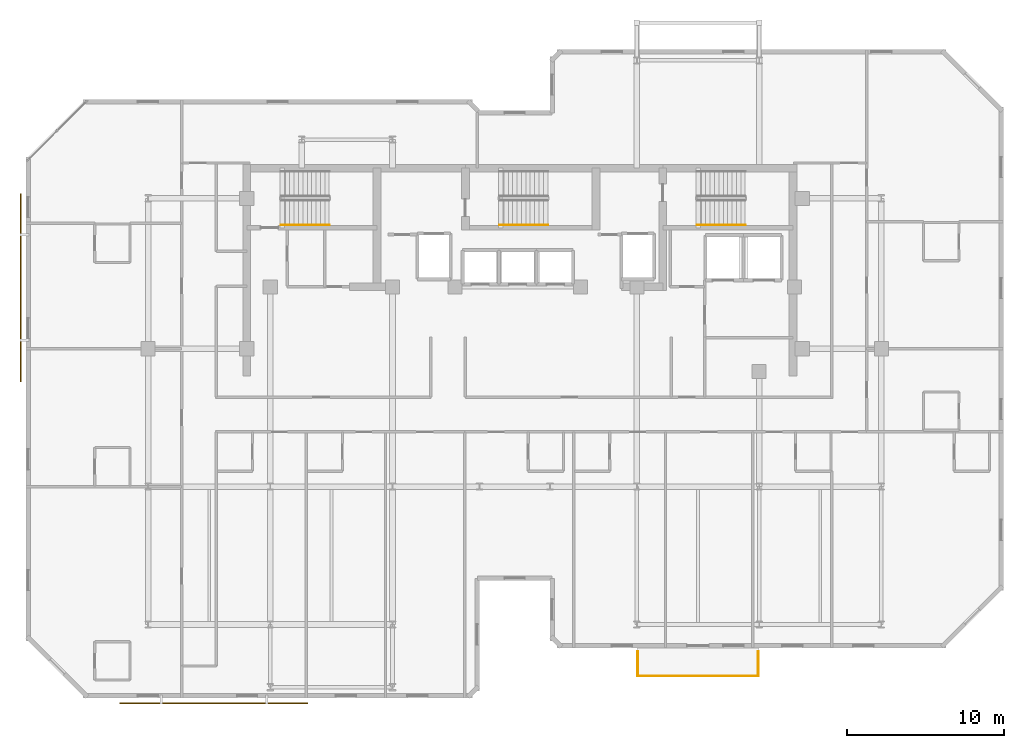
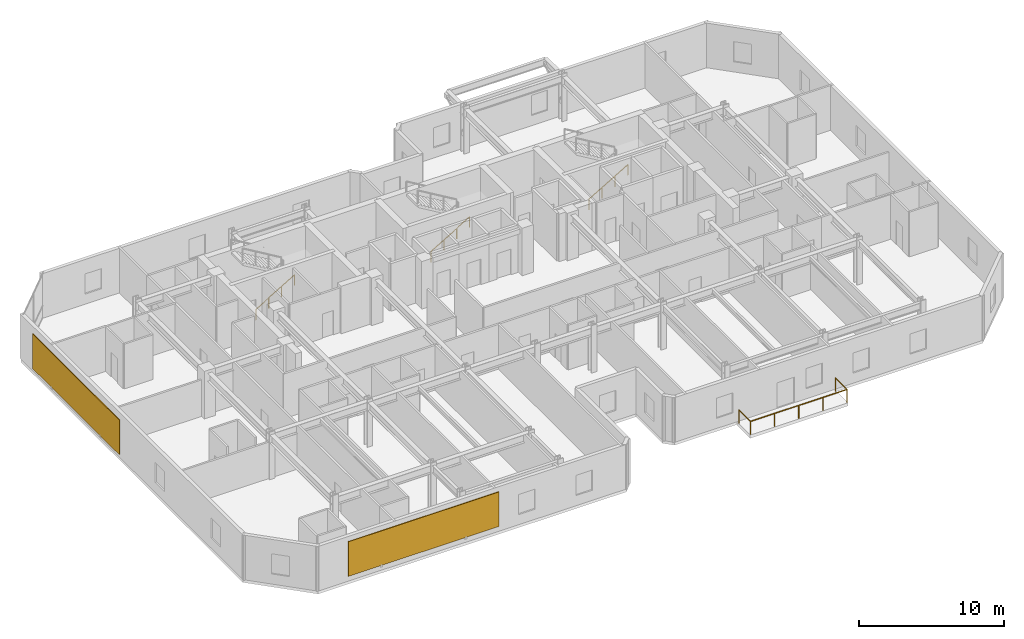
# One storey, part 9 of 10: 5 railings, 2 shading devices.
"""IFC4 building model written with IfcOpenShell, lengths in metres."""

from ifc_helpers import new_model, si_unit, direction, frame, origin, origin_2d, place, context, subcontext, project, spatial, rectangle, circle, extrude, material, layer, layer_set, type_object, element, save


model = new_model("IFC4")

# Units and contexts
model_context = context("Model", 3, precision=1e-05, world=origin(), true_north=direction((0.0, 1.0)))
body_context = subcontext(model_context, "Body", "Model", "MODEL_VIEW")
ifc_project = project(units=[si_unit("LENGTHUNIT", "METRE"), si_unit("AREAUNIT", "SQUARE_METRE"), si_unit("VOLUMEUNIT", "CUBIC_METRE"), si_unit("PLANEANGLEUNIT", "RADIAN"), si_unit("MASSUNIT", "GRAM", prefix="KILO")], contexts=[model_context])

# Site, building, storey
site_placement = place(None, origin())
site = spatial("IfcSite", under=ifc_project, at=site_placement, CompositionType="ELEMENT")
building_placement = place(site_placement, origin())
building = spatial("IfcBuilding", under=site, at=building_placement, Name="Kestravale Grand Hotel", CompositionType="ELEMENT")
storey_placement = place(building_placement, frame((0.0, 0.0, 253.39990234375)))
storey = spatial("IfcBuildingStorey", under=building, at=storey_placement, Name="L63", CompositionType="ELEMENT", Elevation=253.39990234375)

# Railings
ifc_material_1 = material(Name="Champagne-bronze stainless steel and laminated glass guard", Category="steel")
railing_type_1 = type_object("IfcRailingType", Name="RL-EXT-1100", PredefinedType="GUARDRAIL", material=ifc_material_1)
railing_1_placement = place(storey_placement, frame((46.860107421875, 7.909912109375, 0.0)))
element("IfcRailing", 1, at=railing_1_placement, inside=storey, type_object=railing_type_1, Name="L63 outdoor terrace guard 1", PredefinedType="GUARDRAIL", context=body_context, shape_type="SweptSolid", body=[
    extrude(circle(Radius=0.02392578125, at=origin_2d()), frame((0.0, 0.0, 1.09619140625), z_axis=(0.0, 1.0, 0.0), x_axis=(-1.0, 0.0, 0.0)), (0.0, 0.0, 1.0), 1.570068359375),
    extrude(circle(Radius=0.02099609375, at=origin_2d()), origin(), (0.0, 0.0, 1.0), 1.072021484375),
    extrude(circle(Radius=0.02099609375, at=origin_2d()), frame((0.0, 1.570068359375, 0.0)), (0.0, 0.0, 1.0), 1.072021484375),
])
railing_2_placement = place(storey_placement, frame((54.5400390625, 9.47998046875, 0.0)))
element("IfcRailing", 2, at=railing_2_placement, inside=storey, type_object=railing_type_1, Name="L63 outdoor terrace guard 2", PredefinedType="GUARDRAIL", context=body_context, shape_type="SweptSolid", body=[
    extrude(circle(Radius=0.02392578125, at=origin_2d()), frame((0.0, 0.0, 1.09619140625), z_axis=(0.0, -1.0, 0.0), x_axis=(1.0, 0.0, 0.0)), (0.0, 0.0, 1.0), 1.570068359375),
    extrude(circle(Radius=0.02392578125, at=origin_2d()), frame((0.0, -1.570068359375, 1.09619140625), z_axis=(-1.0, 0.0, 0.0), x_axis=(0.0, -1.0, 0.0)), (0.0, 0.0, 1.0), 7.679931640625),
    extrude(circle(Radius=0.02099609375, at=origin_2d()), origin(), (0.0, 0.0, 1.0), 1.072021484375),
    extrude(circle(Radius=0.02099609375, at=origin_2d()), frame((0.0, -1.570068359375, 0.0)), (0.0, 0.0, 1.0), 1.072021484375),
    extrude(circle(Radius=0.02099609375, at=origin_2d()), frame((-1.919921875, -1.570068359375, 0.0)), (0.0, 0.0, 1.0), 1.072021484375),
    extrude(circle(Radius=0.02099609375, at=origin_2d()), frame((-3.83984375, -1.570068359375, 0.0)), (0.0, 0.0, 1.0), 1.072021484375),
    extrude(circle(Radius=0.02099609375, at=origin_2d()), frame((-5.760009765625, -1.570068359375, 0.0)), (0.0, 0.0, 1.0), 1.072021484375),
    extrude(circle(Radius=0.02099609375, at=origin_2d()), frame((-7.679931640625, -1.570068359375, 0.0)), (0.0, 0.0, 1.0), 1.072021484375),
])
ifc_material_2 = material(Name="Brushed stainless steel wall handrail", Category="steel")
railing_type_2 = type_object("IfcRailingType", Name="RL-ST-HND900", PredefinedType="HANDRAIL", material=ifc_material_2)
railing_3_placement = place(storey_placement, frame((24.080078125, 36.699951171875, 0.166748046875)))
element("IfcRailing", 3, at=railing_3_placement, inside=storey, type_object=railing_type_2, Name="L63 ST-1 stair handrail 1", PredefinedType="HANDRAIL", context=body_context, shape_type="SweptSolid", body=[
    extrude(circle(Radius=0.02392578125, at=origin_2d()), frame((0.0, 0.0, 0.8759765625), z_axis=(0.859290745958, 0.0, 0.51148745235), x_axis=(0.0, 1.0, 0.0)), (0.0, 0.0, 1.0), 3.584228515625),
    extrude(circle(Radius=0.02099609375, at=origin_2d()), origin(), (0.0, 0.0, 1.0), 0.851806640625),
    extrude(circle(Radius=0.02099609375, at=origin_2d()), frame((1.026611328125, 0.0, 0.611083984375)), (0.0, 0.0, 1.0), 0.851806640625),
    extrude(circle(Radius=0.02099609375, at=origin_2d()), frame((2.05322265625, 0.0, 1.22216796875)), (0.0, 0.0, 1.0), 0.851806640625),
    extrude(circle(Radius=0.02099609375, at=origin_2d()), frame((3.079833984375, 0.0, 1.833251953125)), (0.0, 0.0, 1.0), 0.851806640625),
])
for number, where, name in (
    (4, (38.030029296875, 36.699951171875, 0.166748046875), "L63 ST-2 stair handrail 1"),
    (5, (50.6298828125, 36.699951171875, 0.166748046875), "L63 ST-3 stair handrail 1"),
):
    element("IfcRailing", number, at=place(storey_placement, frame(where)), inside=storey, type_object=railing_type_2, Name=name, PredefinedType="HANDRAIL", context=body_context, shape_type="SweptSolid", body=[
        extrude(circle(Radius=0.02392578125, at=origin_2d()), frame((0.0, 0.0, 0.8759765625), z_axis=(0.859308565015, 0.0, 0.511457515432), x_axis=(0.0, 1.0, 0.0)), (0.0, 0.0, 1.0), 3.58447265625),
        extrude(circle(Radius=0.02099609375, at=origin_2d()), origin(), (0.0, 0.0, 1.0), 0.851806640625),
        extrude(circle(Radius=0.02099609375, at=origin_2d()), frame((1.026611328125, 0.0, 0.611083984375)), (0.0, 0.0, 1.0), 0.851806640625),
        extrude(circle(Radius=0.02099609375, at=origin_2d()), frame((2.053466796875, 0.0, 1.22216796875)), (0.0, 0.0, 1.0), 0.851806640625),
        extrude(circle(Radius=0.02099609375, at=origin_2d()), frame((3.080078125, 0.0, 1.833251953125)), (0.0, 0.0, 1.0), 0.851806640625),
    ])

# Shading devices
ifc_material_3 = material(Name="Perforated champagne-bronze aluminium and ceramic solar screen", Category="aluminium")
ifc_layer = layer(ifc_material_3, 0.06494140625)
ifc_layer_set = layer_set([ifc_layer], Name="SHD-SCR-CHEV")
shading_device_type = type_object("IfcShadingDeviceType", Name="SHD-SCR-CHEV", PredefinedType="USERDEFINED", material=ifc_layer_set)
for number, where, z_axis, x_axis, name in (
    (6, (19.800048828125, 6.159912109375, 0.7001953125), (0.0, 0.0, 1.0), (1.0, 0.0, 0.0), "L63 Perforated bronze ceramic chevron solar screen SCR-L63-01"),
    (7, (7.4599609375, 32.699951171875, 0.7001953125), (0.0, 0.0, 1.0), (0.0, -1.0, 0.0), "L63 Perforated bronze ceramic chevron solar screen SCR-L63-19"),
):
    element("IfcShadingDevice", number, at=place(storey_placement, frame(where, z_axis=z_axis, x_axis=x_axis)), inside=storey, type_object=shading_device_type, Name=name, ObjectType="SCREEN", PredefinedType="USERDEFINED", context=body_context, shape_type="SweptSolid", body=[
        extrude(rectangle(XDim=12.0, YDim=0.06494140625, at=origin_2d()), origin(), (0.0, 0.0, 1.0), 2.909912109375),
    ])

save(model, "model.ifc")
